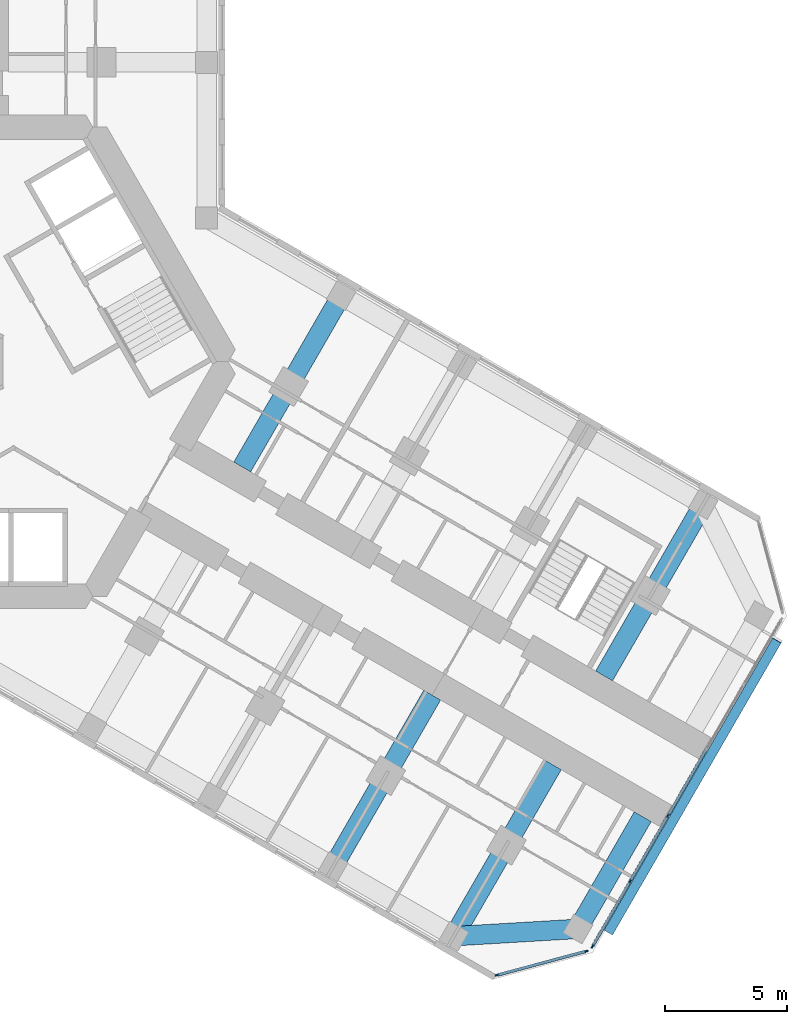
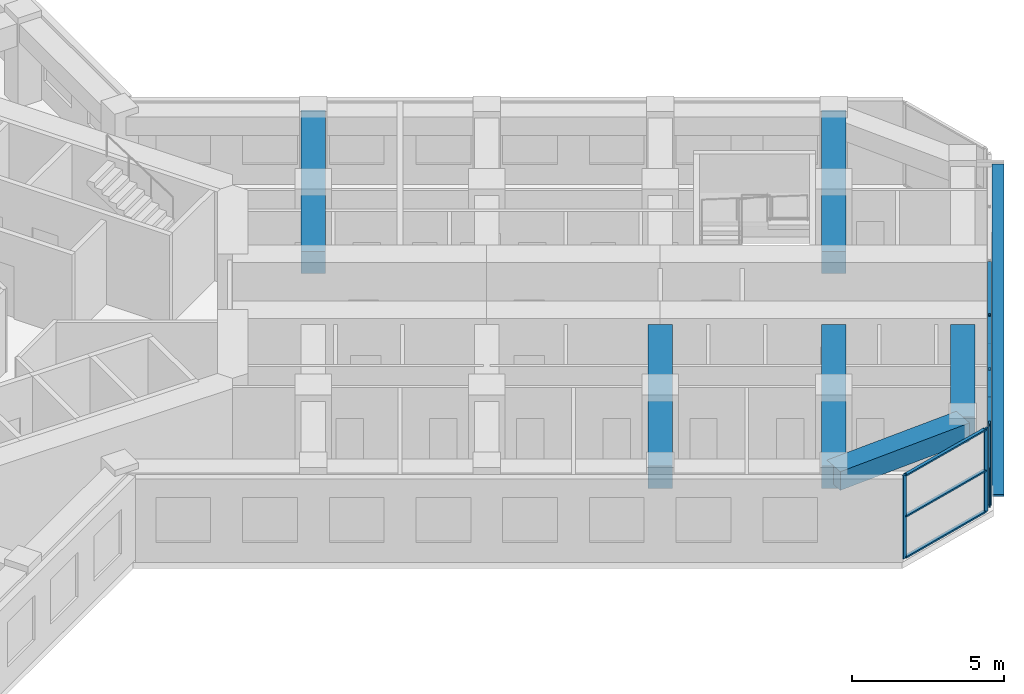
# One storey, part 5 of 22: 15 members, 6 beams, 2 elements without a shape of their own.
"""IFC4 building model written with IfcOpenShell, lengths in metres."""

import ifcopenshell
import ifcopenshell.guid

model = None  # the IFC model being written
_history = None  # IfcOwnerHistory: only IFC2X3 demands one
_inside = {}  # id of a spatial element -> (the spatial element, [elements in it])
_under = {}  # id of a project, library or spatial element -> (it, [spatial elements below it])
_declared = {}  # id of a project -> (the project, [libraries it declares])
_typed = {}  # id of a type object -> (the type object, [elements of that type])
_made_of = {}  # id of a material, layer set ... -> (it, [elements and type objects made of it])


def new_model(schema):
    """Start an empty IFC model of exactly this schema.

    Asked for "IFC4X3", IfcOpenShell would pick the latest addendum, in which some entities
    have other attributes; the version numbers below select the first issue.
    IFC2X3 requires an IfcOwnerHistory on every rooted entity: one is made here for all.
    """
    global model, _history
    if schema == "IFC4X3":
        model = ifcopenshell.file(schema_version=(4, 3, 0, 0))
    else:
        model = ifcopenshell.file(schema=schema)
    _inside.clear()
    _under.clear()
    _declared.clear()
    _typed.clear()
    _made_of.clear()
    _history = None
    if model.schema == "IFC2X3":
        org = make("IfcOrganization", Name="unknown")
        user = make(
            "IfcPersonAndOrganization",
            ThePerson=make("IfcPerson", FamilyName="unknown"),
            TheOrganization=org,
        )
        app = make(
            "IfcApplication",
            ApplicationDeveloper=org,
            Version="unknown",
            ApplicationFullName="unknown",
            ApplicationIdentifier="unknown",
        )
        _history = make(
            "IfcOwnerHistory",
            OwningUser=user,
            OwningApplication=app,
            ChangeAction="ADDED",
            CreationDate=0,
        )
    return model


def make(cls, **values):
    """One entity of the class cls with the attributes given. An attribute that is None is left unset."""
    return model.create_entity(
        cls, **{name: value for name, value in values.items() if value is not None}
    )


def rooted(cls, **values):
    """An entity with a GlobalId (a new one), such as an element, a storey or a relation."""
    return make(cls, GlobalId=ifcopenshell.guid.new(), OwnerHistory=_history, **values)


def si_unit(unit_type, name, prefix=None):
    """IfcSIUnit, for example si_unit("LENGTHUNIT", "METRE", prefix="MILLI")."""
    return make("IfcSIUnit", UnitType=unit_type, Prefix=prefix, Name=name)


def assignment(units):
    """IfcUnitAssignment: the units of a project."""
    return None if units is None else make("IfcUnitAssignment", Units=units)


def point(xyz):
    """IfcCartesianPoint."""
    return None if xyz is None else make("IfcCartesianPoint", Coordinates=xyz)


def direction(xyz):
    """IfcDirection."""
    return None if xyz is None else make("IfcDirection", DirectionRatios=xyz)


def frame(location, z_axis=None, x_axis=None):
    """IfcAxis2Placement3D, a coordinate frame: its origin and axes. An axis left out is left unset."""
    return make(
        "IfcAxis2Placement3D",
        Location=point(location),
        Axis=direction(z_axis),
        RefDirection=direction(x_axis),
    )


def frame_2d(location, x_axis=None):
    """IfcAxis2Placement2D, a coordinate frame in the plane: its origin and x axis."""
    return make(
        "IfcAxis2Placement2D", Location=point(location), RefDirection=direction(x_axis)
    )


def origin():
    """The frame at (0, 0, 0) with its axes left unset."""
    return frame((0.0, 0.0, 0.0))


def origin_2d():
    """The frame at (0, 0) in the plane with its x axis left unset."""
    return frame_2d((0.0, 0.0))


def place(relative_to, where):
    """IfcLocalPlacement: puts the frame where relative to a parent placement (None: the world)."""
    return make(
        "IfcLocalPlacement", PlacementRelTo=relative_to, RelativePlacement=where
    )


def context(
    kind, dimensions, precision=None, world=None, true_north=None, identifier=None
):
    """IfcGeometricRepresentationContext, for example the 3D "Model" context."""
    return make(
        "IfcGeometricRepresentationContext",
        ContextIdentifier=identifier,
        ContextType=kind,
        CoordinateSpaceDimension=dimensions,
        Precision=precision,
        WorldCoordinateSystem=world,
        TrueNorth=true_north,
    )


def subcontext(parent, identifier, kind, view, scale=None):
    """IfcGeometricRepresentationSubContext, for example "Body" below "Model"."""
    return make(
        "IfcGeometricRepresentationSubContext",
        ContextIdentifier=identifier,
        ContextType=kind,
        ParentContext=parent,
        TargetScale=scale,
        TargetView=view,
    )


def project(units=None, contexts=None):
    """IfcProject with its units and contexts."""
    return rooted(
        "IfcProject",
        Name="project",
        RepresentationContexts=contexts,
        UnitsInContext=assignment(units),
    )


def spatial(cls, under=None, at=None, **own):
    """A site, building, storey or space (cls), placed at a placement, below another one or the project."""
    s = rooted(cls, ObjectPlacement=at, **own)
    if under is not None:
        _under.setdefault(under.id(), (under, []))[1].append(s)
    return s


def profile(cls, at=None, kind="AREA", **sizes):
    """A parametric profile (cls). Its sizes go by their IFC names, for example OverallWidth=200.0."""
    return make(cls, ProfileType=kind, Position=at, **sizes)


def rectangle(**sizes):
    """IfcRectangleProfileDef."""
    return profile("IfcRectangleProfileDef", **sizes)


def extrude(swept, where, along, depth):
    """IfcExtrudedAreaSolid: the profile swept, set in the frame where, extruded along a direction by depth."""
    return make(
        "IfcExtrudedAreaSolid",
        SweptArea=swept,
        Position=where,
        ExtrudedDirection=direction(along),
        Depth=depth,
    )


def shape(context_of_items, identifier, shape_type, items):
    """IfcShapeRepresentation: the items that make up one representation, for example the "Body"."""
    return make(
        "IfcShapeRepresentation",
        ContextOfItems=context_of_items,
        RepresentationIdentifier=identifier,
        RepresentationType=shape_type,
        Items=items,
    )


def material(Name=None, Category=None):
    """IfcMaterial."""
    return make("IfcMaterial", Name=Name, Category=Category)


def material_profile(
    of_material, cross_section, Name=None, Category=None, Priority=None
):
    """IfcMaterialProfile: a cross section and its material."""
    return make(
        "IfcMaterialProfile",
        Name=Name,
        Material=of_material,
        Profile=cross_section,
        Priority=Priority,
        Category=Category,
    )


def profile_set(profiles, Name=None, composite=None):
    """IfcMaterialProfileSet."""
    return make(
        "IfcMaterialProfileSet",
        Name=Name,
        MaterialProfiles=profiles,
        CompositeProfile=composite,
    )


def made_of(thing, what):
    """Note that an element or type object is made of a material, layer set ...; save() writes the relation."""
    if what is not None:
        _made_of.setdefault(what.id(), (what, []))[1].append(thing)
    return thing


def type_object(cls, material=None, **own):
    """A type object (cls), such as IfcWallType, which elements share."""
    return made_of(rooted(cls, **own), material)


def element(
    cls,
    number,
    at=None,
    inside=None,
    cuts=None,
    type_object=None,
    material=None,
    context=None,
    identifier="Body",
    shape_type=None,
    held_by="IfcProductDefinitionShape",
    body=None,
    shapes=None,
    **own,
):
    """One element of the class cls, such as IfcWall. Its Tag is "e" and its number.

    at: its placement. inside: the storey or other place that contains it. cuts: it is an
    opening in that element (IfcRelVoidsElement). A single representation is given by context,
    identifier, shape_type and body (its items); several are given by shapes. held_by: the class
    of the entity that holds the representations. save() writes the other relations.
    """
    e = rooted(cls, Tag="e%d" % number, ObjectPlacement=at, **own)
    if body is not None:
        shapes = [shape(context, identifier, shape_type, body)]
    if shapes is not None:
        e.Representation = make(held_by, Representations=shapes)
    if inside is not None:
        _inside.setdefault(inside.id(), (inside, []))[1].append(e)
    if cuts is not None:
        rooted(
            "IfcRelVoidsElement", RelatingBuildingElement=cuts, RelatedOpeningElement=e
        )
    if type_object is not None:
        _typed.setdefault(type_object.id(), (type_object, []))[1].append(e)
    return made_of(e, material)


def aggregate(whole, parts):
    """IfcRelAggregates: a whole, such as a stair, and the parts it consists of."""
    return rooted("IfcRelAggregates", RelatingObject=whole, RelatedObjects=parts)


def save(model, path):
    """Write the relations noted so far, then the file.

    IfcRelAggregates (storeys below a building ...), IfcRelContainedInSpatialStructure (elements
    in a storey), IfcRelDefinesByType, IfcRelAssociatesMaterial and IfcRelDeclares: one each for
    every whole, place, type object, material and project.
    """
    for whole, parts in _under.values():
        aggregate(whole, parts)
    for where, things in _inside.values():
        rooted(
            "IfcRelContainedInSpatialStructure",
            RelatedElements=things,
            RelatingStructure=where,
        )
    for kind, things in _typed.values():
        rooted("IfcRelDefinesByType", RelatedObjects=things, RelatingType=kind)
    for what, things in _made_of.values():
        rooted("IfcRelAssociatesMaterial", RelatedObjects=things, RelatingMaterial=what)
    for by, libraries in _declared.values():
        rooted("IfcRelDeclares", RelatingContext=by, RelatedDefinitions=libraries)
    model.write(path)


model = new_model("IFC4")

# Units and contexts
model_context = context("Model", 3, precision=1e-05, world=origin(), true_north=direction((0.0, 1.0)))
body_context = subcontext(model_context, "Body", "Model", "MODEL_VIEW")
ifc_project = project(units=[si_unit("LENGTHUNIT", "METRE"), si_unit("AREAUNIT", "SQUARE_METRE"), si_unit("VOLUMEUNIT", "CUBIC_METRE"), si_unit("PLANEANGLEUNIT", "RADIAN"), si_unit("MASSUNIT", "GRAM", prefix="KILO")], contexts=[model_context])

# Site, building, storey
site_placement = place(None, origin())
site = spatial("IfcSite", under=ifc_project, at=site_placement, CompositionType="ELEMENT")
building_placement = place(site_placement, origin())
building = spatial("IfcBuilding", under=site, at=building_placement, Name="Kosmar Iwan School Tower", CompositionType="ELEMENT")
storey_placement = place(building_placement, frame((0.0, 0.0, 91.60009765625)))
storey = spatial("IfcBuildingStorey", under=building, at=storey_placement, Name="L22", CompositionType="ELEMENT", Elevation=91.60009765625)

# Member
ifc_material_1 = material(Name="Black anodised aluminium", Category="aluminium")
ifc_material_profile_1 = material_profile(ifc_material_1, rectangle(XDim=0.10009765625, YDim=0.39990234375, at=origin_2d()), Name="FIN 100x400")
ifc_profile_set_1 = profile_set([ifc_material_profile_1], Name="Black anodised aluminium")
member_type_1 = type_object("IfcMemberType", Name="Diagonal fin 100x400", PredefinedType="USERDEFINED", material=ifc_profile_set_1)
member_1_placement = place(storey_placement, frame((26.645263671875, -23.34912109375, -0.150146484375), z_axis=(0.483793446988, 0.837970316603, 0.25248692866), x_axis=(-0.126241714543, -0.218661104574, 0.96760030532)))
element("IfcMember", 1, at=member_1_placement, inside=storey, type_object=member_type_1, Name="Diagonal fin L22-F03", ObjectType="FIN", PredefinedType="USERDEFINED", context=body_context, shape_type="SweptSolid", body=[
    extrude(rectangle(XDim=0.10009765625, YDim=0.39990234375, at=origin_2d()), origin(), (0.0, 0.0, 1.0), 14.258544921875),
])

# Curtain wall, members
ifc_material_2 = material(Name="Dark glass in black aluminium frame", Category="aluminium")
curtain_wall_type_1 = type_object("IfcCurtainWallType", Name="Chamfer curtain wall dark glass", PredefinedType="USERDEFINED", material=ifc_material_2)
curtain_wall_1_placement = place(storey_placement, origin())
curtain_wall_1 = element("IfcCurtainWall", 2, at=curtain_wall_1_placement, inside=storey, type_object=curtain_wall_type_1, Name="Curtain wall L22-F02", ObjectType="FACETED CURTAIN WALL", PredefinedType="USERDEFINED")
ifc_material_3 = material(Name="Black anodised aluminium", Category="aluminium")
ifc_material_profile_2 = material_profile(ifc_material_3, rectangle(XDim=0.06005859375, YDim=0.159912109375, at=origin_2d()), Name="MULLION 60x160")
ifc_profile_set_2 = profile_set([ifc_material_profile_2], Name="Black anodised aluminium")
member_type_2 = type_object("IfcMemberType", Name="Mullion 60x160", PredefinedType="MULLION", material=ifc_profile_set_2)
member_2_placement = place(storey_placement, frame((22.0830078125, -25.102294921875, 0.0), z_axis=(0.0, 0.0, 1.0), x_axis=(-0.258818861462, 0.965925875495, 0.0)))
member_2 = element("IfcMember", 3, at=member_2_placement, type_object=member_type_2, Name="CW2 mullion 1", PredefinedType="MULLION", context=body_context, shape_type="SweptSolid", body=[
    extrude(rectangle(XDim=0.06005859375, YDim=0.159912109375, at=origin_2d()), origin(), (0.0, 0.0, 1.0), 3.349853515625),
])
member_3_placement = place(storey_placement, frame((25.733154296875, -24.124267578125, 0.0), z_axis=(0.0, 0.0, 1.0), x_axis=(-0.258818861462, 0.965925875495, 0.0)))
member_3 = element("IfcMember", 4, at=member_3_placement, type_object=member_type_2, Name="CW2 mullion 2", PredefinedType="MULLION", context=body_context, shape_type="SweptSolid", body=[
    extrude(rectangle(XDim=0.06005859375, YDim=0.159912109375, at=origin_2d()), origin(), (0.0, 0.0, 1.0), 3.349853515625),
])

ifc_material_4 = material(Name="Dark glass in black aluminium frame", Category="aluminium")
curtain_wall_type_2 = type_object("IfcCurtainWallType", Name="Tower curtain wall dark glass", PredefinedType="USERDEFINED", material=ifc_material_4)
curtain_wall_2_placement = place(storey_placement, origin())
curtain_wall_2 = element("IfcCurtainWall", 5, at=curtain_wall_2_placement, inside=storey, type_object=curtain_wall_type_2, Name="Curtain wall L22-F03", ObjectType="UNITISED CURTAIN WALL", PredefinedType="USERDEFINED")
member_4_placement = place(storey_placement, frame((25.9970703125, -23.921630859375, 0.0), z_axis=(0.0, 0.0, 1.0), x_axis=(-0.866025405329, 0.499999997325, 0.0)))
member_4 = element("IfcMember", 6, at=member_4_placement, type_object=member_type_2, Name="CW1 mullion 1", PredefinedType="MULLION", context=body_context, shape_type="SweptSolid", body=[
    extrude(rectangle(XDim=0.06005859375, YDim=0.159912109375, at=origin_2d()), origin(), (0.0, 0.0, 1.0), 3.349853515625),
])
member_5_placement = place(storey_placement, frame((27.53173828125, -21.263671875, 0.0), z_axis=(0.0, 0.0, 1.0), x_axis=(-0.866025405329, 0.499999997325, 0.0)))
member_5 = element("IfcMember", 7, at=member_5_placement, type_object=member_type_2, Name="CW1 mullion 2", PredefinedType="MULLION", context=body_context, shape_type="SweptSolid", body=[
    extrude(rectangle(XDim=0.06005859375, YDim=0.159912109375, at=origin_2d()), origin(), (0.0, 0.0, 1.0), 3.349853515625),
])
member_6_placement = place(storey_placement, frame((29.081298828125, -18.57958984375, 0.0), z_axis=(0.0, 0.0, 1.0), x_axis=(-0.866025405329, 0.499999997325, 0.0)))
member_6 = element("IfcMember", 8, at=member_6_placement, type_object=member_type_2, Name="CW1 mullion 3", PredefinedType="MULLION", context=body_context, shape_type="SweptSolid", body=[
    extrude(rectangle(XDim=0.06005859375, YDim=0.159912109375, at=origin_2d()), origin(), (0.0, 0.0, 1.0), 3.349853515625),
])

# Beams
ifc_material_5 = material(Name="Concrete C50/60", Category="concrete")
ifc_material_profile_3 = material_profile(ifc_material_5, rectangle(XDim=0.800048828125, YDim=0.75, at=origin_2d()), Name="RC 800x750")
ifc_profile_set_3 = profile_set([ifc_material_profile_3], Name="Concrete C50/60")
beam_type_1 = type_object("IfcBeamType", Name="RC tip beam 800x750", PredefinedType="BEAM", material=ifc_profile_set_3)
beam_1_placement = place(storey_placement, frame((20.31787109375, -23.508544921875, 2.974853515625), z_axis=(0.998260616478, 0.058955420358, 0.0), x_axis=(-0.058955420358, 0.998260616478, 0.0)))
element("IfcBeam", 9, at=beam_1_placement, inside=storey, type_object=beam_type_1, Name="Tip beam CR", PredefinedType="BEAM", context=body_context, shape_type="SweptSolid", body=[
    extrude(rectangle(XDim=0.800048828125, YDim=0.75, at=origin_2d()), origin(), (0.0, 0.0, 1.0), 5.08935546875),
])
beam_2_placement = place(storey_placement, frame((25.3984375, -23.20849609375, 2.974853515625), z_axis=(0.499993606316, 0.866029095148, 0.0), x_axis=(-0.866029095148, 0.499993606316, 0.0)))
element("IfcBeam", 10, at=beam_2_placement, inside=storey, type_object=beam_type_1, Name="Tip beam CR to corridor wall", PredefinedType="BEAM", context=body_context, shape_type="SweptSolid", body=[
    extrude(rectangle(XDim=0.800048828125, YDim=0.75, at=origin_2d()), origin(), (0.0, 0.0, 1.0), 5.2998046875),
])
ifc_material_6 = material(Name="Concrete C50/60", Category="concrete")
ifc_material_profile_4 = material_profile(ifc_material_6, rectangle(XDim=0.800048828125, YDim=0.89990234375, at=origin_2d()), Name="RC 800x900")
ifc_profile_set_4 = profile_set([ifc_material_profile_4], Name="Concrete C50/60")
beam_type_2 = type_object("IfcBeamType", Name="RC transverse beam 800x900", PredefinedType="BEAM", material=ifc_profile_set_4)
for number, where, z_axis, x_axis, name in (
    (11, (15.708740234375, 2.70849609375, 2.89990234375), (-0.499999880539, -0.866025472755, 0.0), (0.866025472755, -0.499999880539, 0.0), "Transverse beam CL1"),
    (12, (30.517822265625, -5.841552734375, 2.89990234375), (-0.499999880539, -0.866025472755, 0.0), (0.866025472755, -0.499999880539, 0.0), "Transverse beam CL4"),
    (13, (15.381591796875, -20.658447265625, 2.89990234375), (0.499977274689, 0.866038523851, 0.0), (-0.866038523851, 0.499977274689, 0.0), "Transverse beam CR3"),
    (14, (20.31787109375, -23.508544921875, 2.89990234375), (0.499999880539, 0.866025472755, 0.0), (-0.866025472755, 0.499999880539, 0.0), "Transverse beam CR4"),
):
    element("IfcBeam", number, at=place(storey_placement, frame(where, z_axis=z_axis, x_axis=x_axis)), inside=storey, type_object=beam_type_2, Name=name, PredefinedType="BEAM", context=body_context, shape_type="SweptSolid", body=[
        extrude(rectangle(XDim=0.800048828125, YDim=0.89990234375, at=origin_2d()), origin(), (0.0, 0.0, 1.0), 8.10009765625),
    ])

# Member
ifc_material_7 = material(Name="Black anodised aluminium", Category="aluminium")
ifc_material_profile_5 = material_profile(ifc_material_7, rectangle(XDim=0.1201171875, YDim=0.06005859375, at=origin_2d()), Name="TRANSOM 60x120")
ifc_profile_set_5 = profile_set([ifc_material_profile_5], Name="Black anodised aluminium")
member_type_3 = type_object("IfcMemberType", Name="Transom 60x120", PredefinedType="USERDEFINED", material=ifc_profile_set_5)
member_7_placement = place(storey_placement, frame((22.11181640625, -25.094482421875, 0.02978515625), z_axis=(0.965923731726, 0.258826861991, 0.0), x_axis=(-0.258826861991, 0.965923731726, 0.0)))
member_7 = element("IfcMember", 15, at=member_7_placement, type_object=member_type_3, Name="CW2 transom 1.1", ObjectType="TRANSOM", PredefinedType="USERDEFINED", context=body_context, shape_type="SweptSolid", body=[
    extrude(rectangle(XDim=0.1201171875, YDim=0.06005859375, at=origin_2d()), origin(), (0.0, 0.0, 1.0), 3.71923828125),
])

member_8_placement = place(storey_placement, frame((22.11181640625, -25.094482421875, 1.6748046875), z_axis=(0.965923731726, 0.258826861991, 0.0), x_axis=(-0.258826861991, 0.965923731726, 0.0)))
member_8 = element("IfcMember", 16, at=member_8_placement, type_object=member_type_3, Name="CW2 transom 1.2", ObjectType="TRANSOM", PredefinedType="USERDEFINED", context=body_context, shape_type="SweptSolid", body=[
    extrude(rectangle(XDim=0.1201171875, YDim=0.06005859375, at=origin_2d()), origin(), (0.0, 0.0, 1.0), 3.71923828125),
])

member_9_placement = place(storey_placement, frame((22.11181640625, -25.094482421875, 3.31982421875), z_axis=(0.965923731726, 0.258826861991, 0.0), x_axis=(-0.258826861991, 0.965923731726, 0.0)))
member_9 = element("IfcMember", 17, at=member_9_placement, type_object=member_type_3, Name="CW2 transom 1.3", ObjectType="TRANSOM", PredefinedType="USERDEFINED", context=body_context, shape_type="SweptSolid", body=[
    extrude(rectangle(XDim=0.1201171875, YDim=0.06005859375, at=origin_2d()), origin(), (0.0, 0.0, 1.0), 3.71923828125),
])

aggregate(curtain_wall_1, [member_2, member_3, member_7, member_8, member_9])

member_10_placement = place(storey_placement, frame((26.01220703125, -23.895751953125, 0.02978515625), z_axis=(0.499986971506, 0.866032925658, 0.0), x_axis=(-0.866032925658, 0.499986971506, 0.0)))
member_10 = element("IfcMember", 18, at=member_10_placement, type_object=member_type_3, Name="CW1 transom 1.1", ObjectType="TRANSOM", PredefinedType="USERDEFINED", context=body_context, shape_type="SweptSolid", body=[
    extrude(rectangle(XDim=0.1201171875, YDim=0.06005859375, at=origin_2d()), origin(), (0.0, 0.0, 1.0), 3.00927734375),
])

member_11_placement = place(storey_placement, frame((26.01220703125, -23.895751953125, 3.31982421875), z_axis=(0.499986971506, 0.866032925658, 0.0), x_axis=(-0.866032925658, 0.499986971506, 0.0)))
member_11 = element("IfcMember", 19, at=member_11_placement, type_object=member_type_3, Name="CW1 transom 1.2", ObjectType="TRANSOM", PredefinedType="USERDEFINED", context=body_context, shape_type="SweptSolid", body=[
    extrude(rectangle(XDim=0.1201171875, YDim=0.06005859375, at=origin_2d()), origin(), (0.0, 0.0, 1.0), 3.00927734375),
])

member_12_placement = place(storey_placement, frame((27.546875, -21.237548828125, 0.02978515625), z_axis=(0.499975102327, 0.866039777986, 0.0), x_axis=(-0.866039777986, 0.499975102327, 0.0)))
member_12 = element("IfcMember", 20, at=member_12_placement, type_object=member_type_3, Name="CW1 transom 2.1", ObjectType="TRANSOM", PredefinedType="USERDEFINED", context=body_context, shape_type="SweptSolid", body=[
    extrude(rectangle(XDim=0.1201171875, YDim=0.06005859375, at=origin_2d()), origin(), (0.0, 0.0, 1.0), 3.039306640625),
])

member_13_placement = place(storey_placement, frame((27.546875, -21.237548828125, 3.31982421875), z_axis=(0.499975102327, 0.866039777986, 0.0), x_axis=(-0.866039777986, 0.499975102327, 0.0)))
member_13 = element("IfcMember", 21, at=member_13_placement, type_object=member_type_3, Name="CW1 transom 2.2", ObjectType="TRANSOM", PredefinedType="USERDEFINED", context=body_context, shape_type="SweptSolid", body=[
    extrude(rectangle(XDim=0.1201171875, YDim=0.06005859375, at=origin_2d()), origin(), (0.0, 0.0, 1.0), 3.039306640625),
])

member_14_placement = place(storey_placement, frame((29.096435546875, -18.553466796875, 0.02978515625), z_axis=(0.499975102327, 0.866039777986, 0.0), x_axis=(-0.866039777986, 0.499975102327, 0.0)))
member_14 = element("IfcMember", 22, at=member_14_placement, type_object=member_type_3, Name="CW1 transom 3.1", ObjectType="TRANSOM", PredefinedType="USERDEFINED", context=body_context, shape_type="SweptSolid", body=[
    extrude(rectangle(XDim=0.1201171875, YDim=0.06005859375, at=origin_2d()), origin(), (0.0, 0.0, 1.0), 3.039306640625),
])

member_15_placement = place(storey_placement, frame((29.096435546875, -18.553466796875, 3.31982421875), z_axis=(0.499975102327, 0.866039777986, 0.0), x_axis=(-0.866039777986, 0.499975102327, 0.0)))
member_15 = element("IfcMember", 23, at=member_15_placement, type_object=member_type_3, Name="CW1 transom 3.2", ObjectType="TRANSOM", PredefinedType="USERDEFINED", context=body_context, shape_type="SweptSolid", body=[
    extrude(rectangle(XDim=0.1201171875, YDim=0.06005859375, at=origin_2d()), origin(), (0.0, 0.0, 1.0), 3.039306640625),
])

aggregate(curtain_wall_2, [member_4, member_5, member_6, member_10, member_11, member_12, member_13, member_14, member_15])

save(model, "model.ifc")
